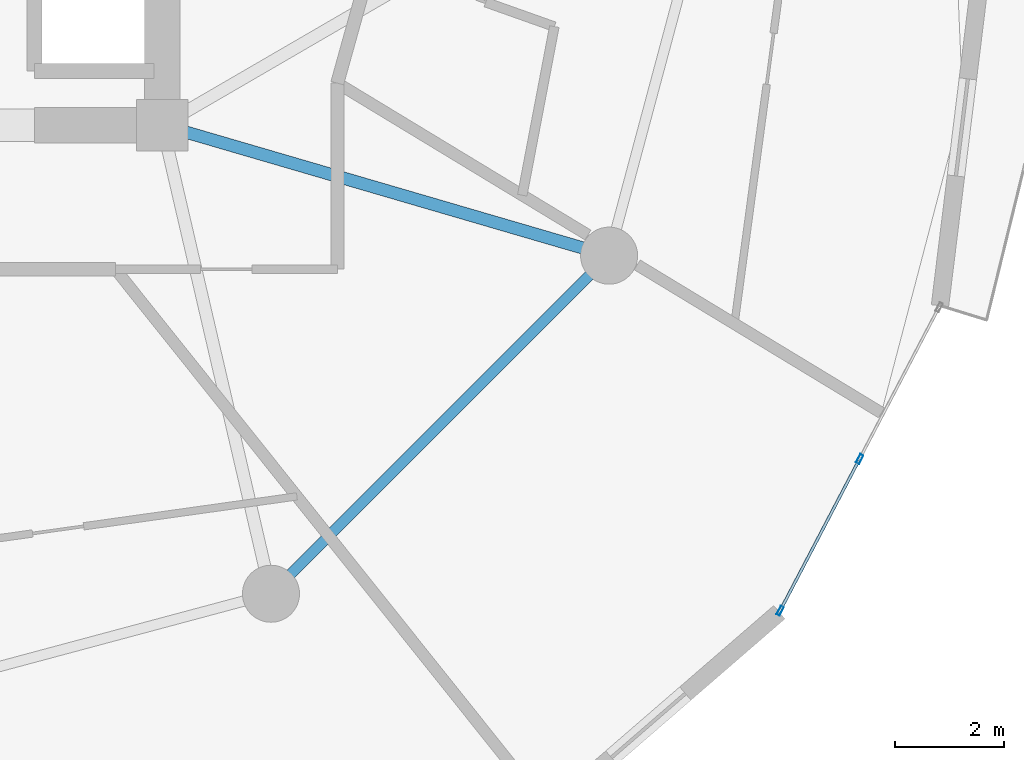
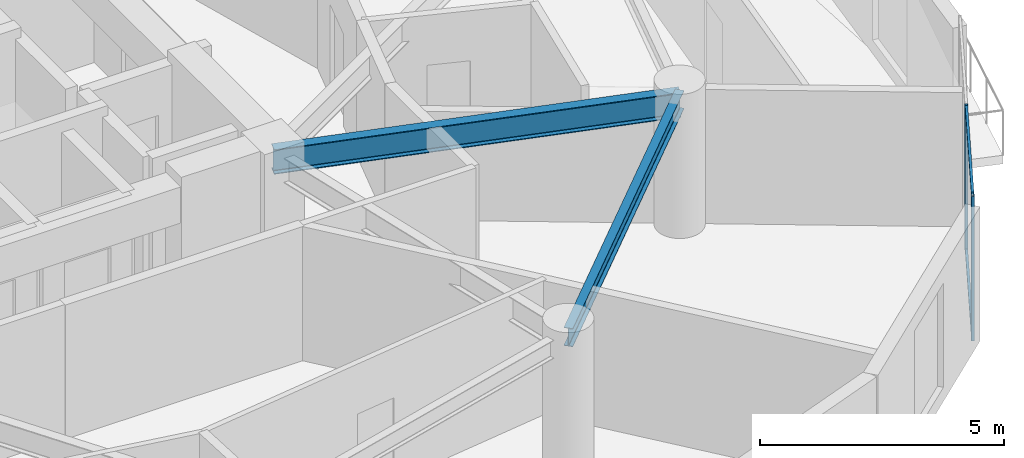
# One storey, part 10 of 25: 4 members, 2 beams, 1 element without a shape of its own.
"""IFC4 building model written with IfcOpenShell, lengths in metres."""

from ifc_helpers import new_model, si_unit, direction, frame, origin, origin_2d, place, context, subcontext, project, spatial, hollow_rectangle, i_section, extrude, source, transform, mapped, material, layer, layer_set, material_profile, profile_set, type_object, element, aggregate, save


model = new_model("IFC4")

# Units and contexts
model_context = context("Model", 3, precision=1e-05, world=origin(), true_north=direction((0.0, 1.0)))
body_context = subcontext(model_context, "Body", "Model", "MODEL_VIEW")
ifc_project = project(units=[si_unit("LENGTHUNIT", "METRE"), si_unit("AREAUNIT", "SQUARE_METRE"), si_unit("VOLUMEUNIT", "CUBIC_METRE"), si_unit("PLANEANGLEUNIT", "RADIAN"), si_unit("MASSUNIT", "GRAM", prefix="KILO")], contexts=[model_context])

# Site, building, storey
site_placement = place(None, origin())
site = spatial("IfcSite", under=ifc_project, at=site_placement, CompositionType="ELEMENT")
building_placement = place(site_placement, origin())
building = spatial("IfcBuilding", under=site, at=building_placement, Name="Solvirekh Grand Hotel", CompositionType="ELEMENT")
storey_placement = place(building_placement, frame((0.0, 0.0, 127.800048828125)))
storey = spatial("IfcBuildingStorey", under=building, at=storey_placement, Name="L32", CompositionType="ELEMENT", Elevation=127.800048828125)

# Beams
ifc_material_1 = material(Name="Steel S355", Category="steel")
ifc_material_profile_1 = material_profile(ifc_material_1, i_section(OverallWidth=0.22802734375, OverallDepth=0.616943359375, WebThickness=0.012939453125, FlangeThickness=0.02001953125, FilletRadius=0.014892578125, at=origin_2d()), Name="W610X140")
ifc_profile_set_1 = profile_set([ifc_material_profile_1], Name="Steel S355")
beam_type_1 = type_object("IfcBeamType", Name="Beam_Radial_W610", PredefinedType="BEAM", material=ifc_profile_set_1)
beam_1_placement = place(storey_placement, frame((6.5, -6.10009765625, 3.041015625), z_axis=(0.959942195467, -0.28019811092, 0.0), x_axis=(0.28019811092, 0.959942195467, 0.0)))
element("IfcBeam", 1, at=beam_1_placement, inside=storey, type_object=beam_type_1, Name="L32 radial floor beam R12", PredefinedType="BEAM", context=body_context, shape_type="SweptSolid", body=[
    extrude(i_section(OverallWidth=0.22802734375, OverallDepth=0.616943359375, WebThickness=0.012939453125, FlangeThickness=0.02001953125, FilletRadius=0.014892578125, at=origin_2d()), origin(), (0.0, 0.0, 1.0), 8.56494140625),
])
ifc_material_profile_2 = material_profile(ifc_material_1, i_section(OverallWidth=0.18994140625, OverallDepth=0.45703125, WebThickness=0.009033203125, FlangeThickness=0.013916015625, FilletRadius=0.012939453125, at=origin_2d()), Name="W460X74")
ifc_profile_set_2 = profile_set([ifc_material_profile_2], Name="Steel S355")
beam_type_2 = type_object("IfcBeamType", Name="Spandrel_Ring_W460", PredefinedType="SPANDREL", material=ifc_profile_set_2)
beam_2_placement = place(storey_placement, frame((8.5, -14.721923828125, 3.1220703125), z_axis=(0.707106781187, 0.707106781187, 0.0), x_axis=(-0.707106781187, 0.707106781187, 0.0)))
element("IfcBeam", 2, at=beam_2_placement, inside=storey, type_object=beam_type_2, Name="L32 perimeter spandrel beam 11", PredefinedType="SPANDREL", context=body_context, shape_type="SweptSolid", body=[
    extrude(i_section(OverallWidth=0.18994140625, OverallDepth=0.45703125, WebThickness=0.009033203125, FlangeThickness=0.013916015625, FilletRadius=0.012939453125, at=origin_2d()), origin(), (0.0, 0.0, 1.0), 8.799072265625),
])

# Curtain wall, members
ifc_material_2 = material(Name="Anodized Bronze Aluminium 6063-T6", Category="aluminium")
ifc_layer = layer(ifc_material_2, 0.175048828125)
ifc_layer_set = layer_set([ifc_layer], Name="Anodized Bronze Aluminium 6063-T6")
curtain_wall_type = type_object("IfcCurtainWallType", Name="CW_Sys3_MidZoneFlushBronzeCW", PredefinedType="NOTDEFINED", material=ifc_layer_set)
curtain_wall_placement = place(storey_placement, origin())
curtain_wall = element("IfcCurtainWall", 3, at=curtain_wall_placement, inside=storey, type_object=curtain_wall_type, Name="L32 unitised bronze-glass curtain wall CW-L32-C01", PredefinedType="NOTDEFINED")
ifc_material_profile_3 = material_profile(ifc_material_2, hollow_rectangle(XDim=0.06494140625, YDim=0.175048828125, WallThickness=0.0048828125, at=origin_2d()), Name="ALU RHS 175X65X5")
ifc_profile_set_3 = profile_set([ifc_material_profile_3], Name="Anodized Bronze Aluminium 6063-T6")
member_type_1 = type_object("IfcMemberType", Name="CWMullion_Sys3", PredefinedType="MULLION", material=ifc_profile_set_3)
shared_shape_1 = source(origin(), body_context, "Body", "SweptSolid", [
    extrude(hollow_rectangle(XDim=0.06494140625, YDim=0.175048828125, WallThickness=0.0048828125, at=origin_2d()), origin(), (0.0, 0.0, 1.0), 3.599853515625),
])
member_1_placement = place(storey_placement, frame((17.8701171875, -15.0341796875, 0.0), z_axis=(0.0, 0.0, 1.0), x_axis=(-0.885754689083, 0.4641536715, 0.0)))
member_1 = element("IfcMember", 4, at=member_1_placement, type_object=member_type_1, Name="U03 mullion 1", PredefinedType="MULLION", context=body_context, shape_type="MappedRepresentation", body=[
    mapped(shared_shape_1, transform((0.0, 0.0, 0.0), x_axis=(1.0, 0.0, 0.0), y_axis=(0.0, 1.0, 0.0), z_axis=(0.0, 0.0, 1.0), scale=1.0)),
])
member_2_placement = place(storey_placement, frame((19.3330078125, -12.242431640625, 0.0), z_axis=(0.0, 0.0, 1.0), x_axis=(-0.885754689083, 0.4641536715, 0.0)))
member_2 = element("IfcMember", 5, at=member_2_placement, type_object=member_type_1, Name="U03 mullion 2", PredefinedType="MULLION", context=body_context, shape_type="MappedRepresentation", body=[
    mapped(shared_shape_1, transform((0.0, 0.0, 0.0), x_axis=(1.0, 0.0, 0.0), y_axis=(0.0, 1.0, 0.0), z_axis=(0.0, 0.0, 1.0), scale=1.0)),
])
ifc_material_profile_4 = material_profile(ifc_material_2, hollow_rectangle(XDim=0.054931640625, YDim=0.1201171875, WallThickness=0.00390625, at=origin_2d()), Name="ALU RHS 120X55X4")
ifc_profile_set_4 = profile_set([ifc_material_profile_4], Name="Anodized Bronze Aluminium 6063-T6")
member_type_2 = type_object("IfcMemberType", Name="CWTransom_Sys3", PredefinedType="USERDEFINED", material=ifc_profile_set_4)
shared_shape_2 = source(origin(), body_context, "Body", "SweptSolid", [
    extrude(hollow_rectangle(XDim=0.054931640625, YDim=0.1201171875, WallThickness=0.00390625, at=origin_2d()), origin(), (0.0, 0.0, 1.0), 3.086669921875),
])
member_3_placement = place(storey_placement, frame((17.88525390625, -15.00537109375, 0.02734375), z_axis=(0.46412225373, 0.88577115193, 0.0), x_axis=(-0.88577115193, 0.46412225373, 0.0)))
member_3 = element("IfcMember", 6, at=member_3_placement, type_object=member_type_2, Name="U03 transom 1.1", ObjectType="TRANSOM", PredefinedType="USERDEFINED", context=body_context, shape_type="MappedRepresentation", body=[
    mapped(shared_shape_2, transform((0.0, 0.0, 0.0), x_axis=(1.0, 0.0, 0.0), y_axis=(0.0, 1.0, 0.0), z_axis=(0.0, 0.0, 1.0), scale=1.0)),
])
member_4_placement = place(storey_placement, frame((17.88525390625, -15.00537109375, 3.572509765625), z_axis=(0.46412225373, 0.88577115193, 0.0), x_axis=(-0.88577115193, 0.46412225373, 0.0)))
member_4 = element("IfcMember", 7, at=member_4_placement, type_object=member_type_2, Name="U03 transom 1.2", ObjectType="TRANSOM", PredefinedType="USERDEFINED", context=body_context, shape_type="MappedRepresentation", body=[
    mapped(shared_shape_2, transform((0.0, 0.0, 0.0), x_axis=(1.0, 0.0, 0.0), y_axis=(0.0, 1.0, 0.0), z_axis=(0.0, 0.0, 1.0), scale=1.0)),
])
aggregate(curtain_wall, [member_1, member_2, member_3, member_4])

save(model, "model.ifc")
